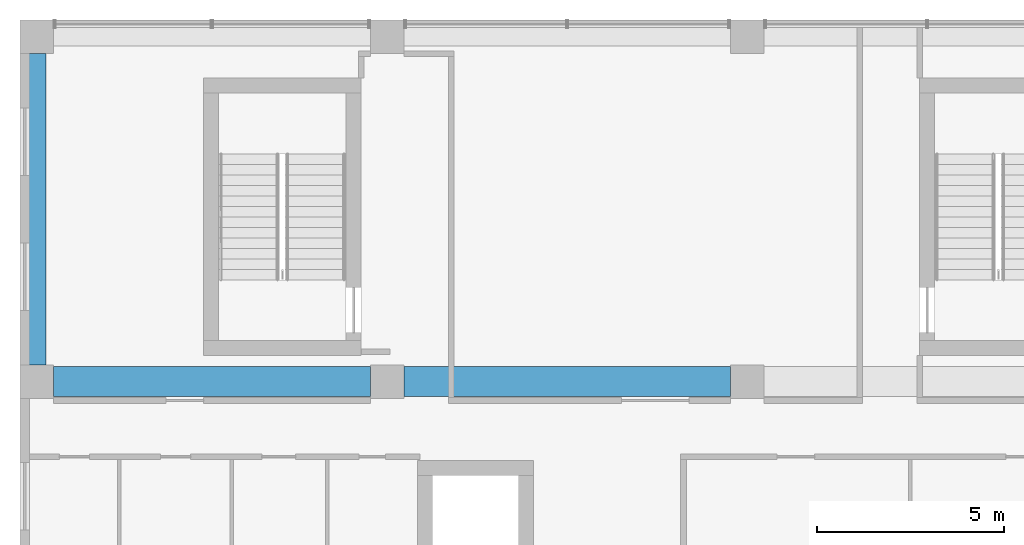
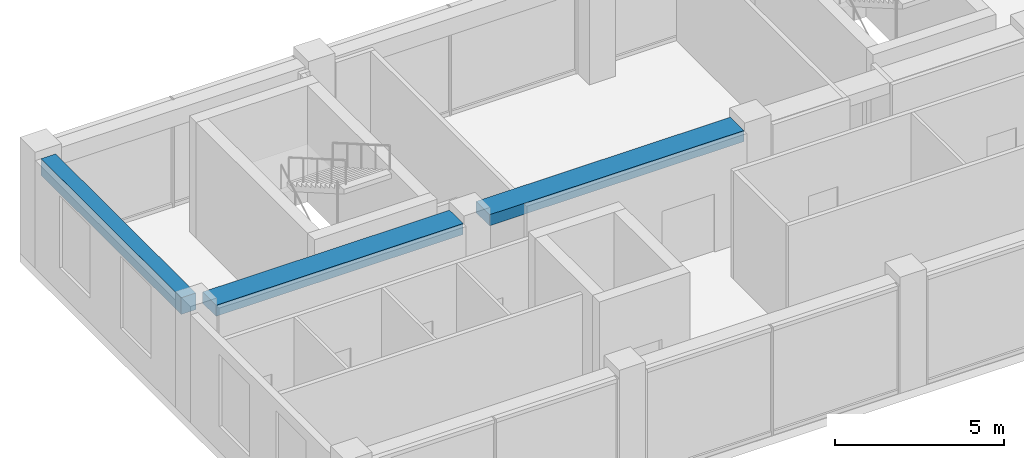
# One storey, part 21 of 38: 3 beams.
"""IFC4 building model written with IfcOpenShell, lengths in metres."""

from ifc_helpers import new_model, si_unit, direction, frame, origin, origin_2d, place, context, subcontext, project, spatial, rectangle, extrude, material, material_profile, profile_set, type_object, element, save


model = new_model("IFC4")

# Units and contexts
model_context = context("Model", 3, precision=1e-05, world=origin(), true_north=direction((0.0, 1.0)))
body_context = subcontext(model_context, "Body", "Model", "MODEL_VIEW")
ifc_project = project(units=[si_unit("LENGTHUNIT", "METRE"), si_unit("AREAUNIT", "SQUARE_METRE"), si_unit("VOLUMEUNIT", "CUBIC_METRE"), si_unit("PLANEANGLEUNIT", "RADIAN"), si_unit("MASSUNIT", "GRAM", prefix="KILO")], contexts=[model_context])

# Site, building, storey
site_placement = place(None, origin())
site = spatial("IfcSite", under=ifc_project, at=site_placement, CompositionType="ELEMENT")
building_placement = place(site_placement, origin())
building = spatial("IfcBuilding", under=site, at=building_placement, Name="Nzadi Deep Aquarium and Research Tower", CompositionType="ELEMENT")
storey_placement = place(building_placement, frame((0.0, 0.0, 65.5)))
storey = spatial("IfcBuildingStorey", under=building, at=storey_placement, Name="L13", CompositionType="ELEMENT", Elevation=65.5)

# Beams
ifc_material_1 = material(Name="Concrete C35/45", Category="concrete")
ifc_material_profile_1 = material_profile(ifc_material_1, rectangle(XDim=0.5, YDim=0.60009765625, at=origin_2d()))
ifc_profile_set_1 = profile_set([ifc_material_profile_1], Name="Concrete C35/45")
beam_type_1 = type_object("IfcBeamType", Name="RC 500x600", PredefinedType="BEAM", material=ifc_profile_set_1)
beam_1_placement = place(storey_placement, frame((0.25, 37.25, 3.60009765625), z_axis=(0.0, 1.0, 0.0), x_axis=(-1.0, 0.0, 0.0)))
element("IfcBeam", 1, at=beam_1_placement, inside=storey, type_object=beam_type_1, Name="B-Z1-L13-CA-2-4", PredefinedType="BEAM", context=body_context, shape_type="SweptSolid", body=[
    extrude(rectangle(XDim=0.5, YDim=0.60009765625, at=origin_2d()), origin(), (0.0, 0.0, 1.0), 8.300048828125),
])
ifc_material_2 = material(Name="Concrete C35/45", Category="concrete")
ifc_material_profile_2 = material_profile(ifc_material_2, rectangle(XDim=0.800048828125, YDim=0.39990234375, at=origin_2d()))
ifc_profile_set_2 = profile_set([ifc_material_profile_2], Name="Concrete C35/45")
beam_type_2 = type_object("IfcBeamType", Name="RC 800x400", PredefinedType="BEAM", material=ifc_profile_set_2)
beam_2_placement = place(storey_placement, frame((0.699951171875, 36.800048828125, 3.699951171875), z_axis=(1.0, 0.0, 0.0), x_axis=(0.0, 1.0, 0.0)))
element("IfcBeam", 2, at=beam_2_placement, inside=storey, type_object=beam_type_2, Name="B-Z1-L13-L5-1", PredefinedType="BEAM", context=body_context, shape_type="SweptSolid", body=[
    extrude(rectangle(XDim=0.800048828125, YDim=0.39990234375, at=origin_2d()), origin(), (0.0, 0.0, 1.0), 8.449951171875),
])
beam_3_placement = place(storey_placement, frame((10.050048828125, 36.800048828125, 3.699951171875), z_axis=(1.0, 0.0, 0.0), x_axis=(0.0, 1.0, 0.0)))
element("IfcBeam", 3, at=beam_3_placement, inside=storey, type_object=beam_type_2, Name="B-Z1-L13-L5-2", PredefinedType="BEAM", context=body_context, shape_type="SweptSolid", body=[
    extrude(rectangle(XDim=0.800048828125, YDim=0.39990234375, at=origin_2d()), origin(), (0.0, 0.0, 1.0), 8.699951171875),
])

save(model, "model.ifc")
